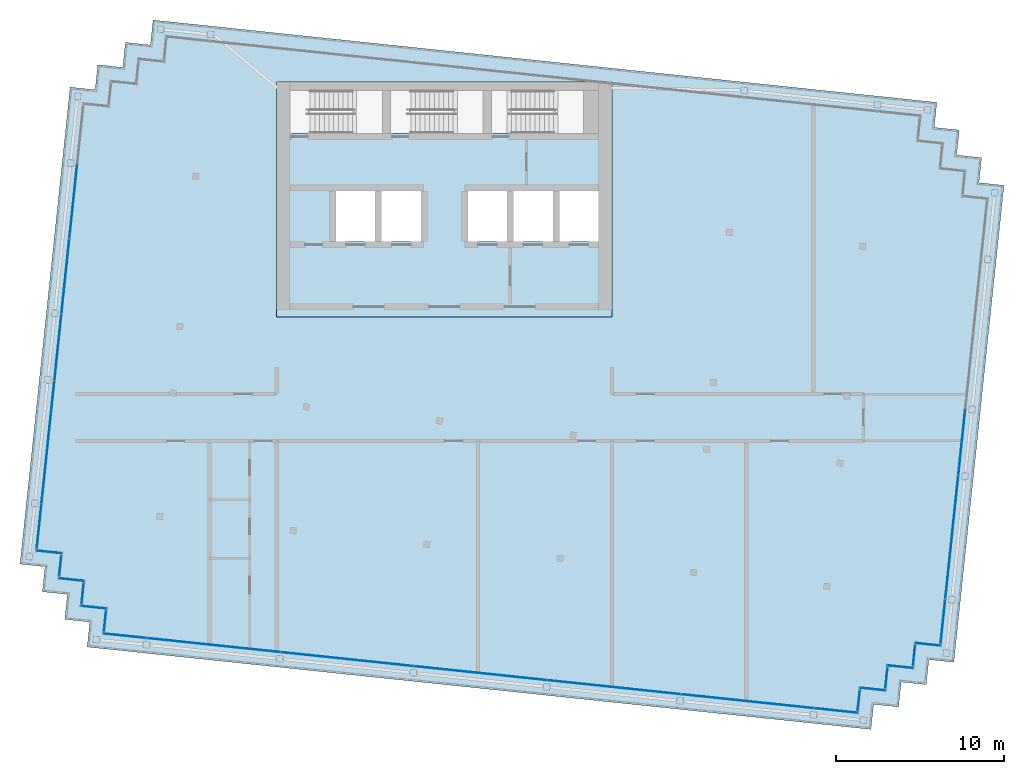
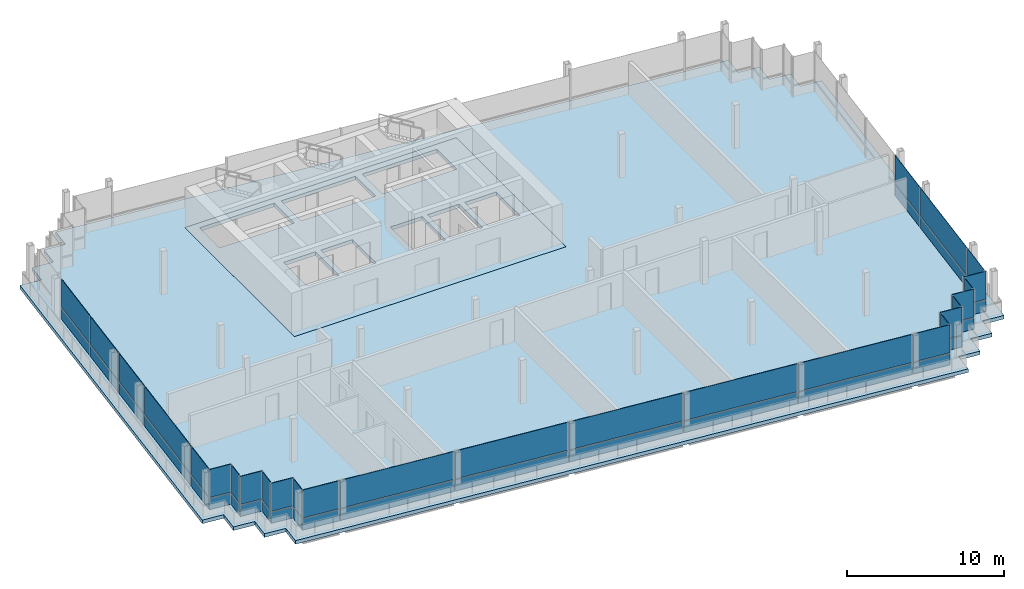
# One storey, part 9 of 15: 54 plates, 2 slabs, 15 elements without a shape of their own.
"""IFC4 building model written with IfcOpenShell, lengths in metres."""

from ifc_helpers import new_model, si_unit, direction, frame, origin, origin_2d, place, context, subcontext, project, spatial, polyline, rectangle, outline, extrude, material, layer, layer_set, type_object, element, aggregate, save


model = new_model("IFC4")

# Units and contexts
model_context = context("Model", 3, precision=1e-05, world=origin(), true_north=direction((0.0, 1.0)))
body_context = subcontext(model_context, "Body", "Model", "MODEL_VIEW")
ifc_project = project(units=[si_unit("LENGTHUNIT", "METRE"), si_unit("AREAUNIT", "SQUARE_METRE"), si_unit("VOLUMEUNIT", "CUBIC_METRE"), si_unit("PLANEANGLEUNIT", "RADIAN"), si_unit("MASSUNIT", "GRAM", prefix="KILO")], contexts=[model_context])

# Site, building, storey
site_placement = place(None, origin())
site = spatial("IfcSite", under=ifc_project, at=site_placement, CompositionType="ELEMENT")
building_placement = place(site_placement, origin())
building = spatial("IfcBuilding", under=site, at=building_placement, Name="Vidyagriha Tower", CompositionType="ELEMENT")
storey_placement = place(building_placement, frame((0.0, 0.0, 291.5)))
storey = spatial("IfcBuildingStorey", under=building, at=storey_placement, Name="L75", CompositionType="ELEMENT", Elevation=291.5)

# Curtain wall, plates
ifc_material_1 = material(Name="Aluminium and glass curtain wall", Category="aluminium")
curtain_wall_type = type_object("IfcCurtainWallType", Name="Lantern glazing wall", PredefinedType="USERDEFINED", material=ifc_material_1)
curtain_wall_1_placement = place(storey_placement, origin())
curtain_wall_1 = element("IfcCurtainWall", 1, at=curtain_wall_1_placement, inside=storey, type_object=curtain_wall_type, Name="CW4 lantern glazing", ObjectType="STICK GLAZING", PredefinedType="USERDEFINED")
ifc_material_2 = material(Name="Glass clear low-iron", Category="glass")
ifc_layer_1 = layer(ifc_material_2, 0.031982421875)
ifc_layer_set_1 = layer_set([ifc_layer_1], Name="Glass clear low-iron")
plate_type = type_object("IfcPlateType", Name="Clear lantern glass panel", PredefinedType="CURTAIN_PANEL", material=ifc_layer_set_1)
plate_1_placement = place(storey_placement, frame((-22.12744140625, 12.894287109375, 0.0), z_axis=(0.0, 0.0, 1.0), x_axis=(-0.104527289697, -0.994522018715, 0.0)))
plate_1 = element("IfcPlate", 2, at=plate_1_placement, type_object=plate_type, Name="CW4 panel 2.1", PredefinedType="CURTAIN_PANEL", context=body_context, shape_type="SweptSolid", body=[
    extrude(rectangle(XDim=4.440185546875, YDim=0.031982421875, at=origin_2d()), origin(), (0.0, 0.0, 1.0), 0.860107421875),
])
plate_2_placement = place(storey_placement, frame((-22.12744140625, 12.894287109375, 0.93994140625), z_axis=(0.0, 0.0, 1.0), x_axis=(-0.104527289697, -0.994522018715, 0.0)))
plate_2 = element("IfcPlate", 3, at=plate_2_placement, type_object=plate_type, Name="CW4 panel 2.2", PredefinedType="CURTAIN_PANEL", context=body_context, shape_type="SweptSolid", body=[
    extrude(rectangle(XDim=4.440185546875, YDim=0.031982421875, at=origin_2d()), origin(), (0.0, 0.0, 1.0), 2.179931640625),
])
plate_3_placement = place(storey_placement, frame((-22.597900390625, 8.4189453125, 0.0), z_axis=(0.0, 0.0, 1.0), x_axis=(-0.104527289697, -0.994522018715, 0.0)))
plate_3 = element("IfcPlate", 4, at=plate_3_placement, type_object=plate_type, Name="CW4 panel 3.1", PredefinedType="CURTAIN_PANEL", context=body_context, shape_type="SweptSolid", body=[
    extrude(rectangle(XDim=4.43994140625, YDim=0.031982421875, at=origin_2d()), origin(), (0.0, 0.0, 1.0), 0.860107421875),
])
plate_4_placement = place(storey_placement, frame((-22.597900390625, 8.4189453125, 0.93994140625), z_axis=(0.0, 0.0, 1.0), x_axis=(-0.104527289697, -0.994522018715, 0.0)))
plate_4 = element("IfcPlate", 5, at=plate_4_placement, type_object=plate_type, Name="CW4 panel 3.2", PredefinedType="CURTAIN_PANEL", context=body_context, shape_type="SweptSolid", body=[
    extrude(rectangle(XDim=4.43994140625, YDim=0.031982421875, at=origin_2d()), origin(), (0.0, 0.0, 1.0), 2.179931640625),
])
plate_5_placement = place(storey_placement, frame((-23.0419921875, 4.192138671875, 0.0), z_axis=(0.0, 0.0, 1.0), x_axis=(-0.104527289697, -0.994522018715, 0.0)))
plate_5 = element("IfcPlate", 6, at=plate_5_placement, type_object=plate_type, Name="CW4 panel 4.1", PredefinedType="CURTAIN_PANEL", context=body_context, shape_type="SweptSolid", body=[
    extrude(rectangle(XDim=3.93994140625, YDim=0.031982421875, at=origin_2d()), origin(), (0.0, 0.0, 1.0), 0.860107421875),
])
plate_6_placement = place(storey_placement, frame((-23.0419921875, 4.192138671875, 0.93994140625), z_axis=(0.0, 0.0, 1.0), x_axis=(-0.104527289697, -0.994522018715, 0.0)))
plate_6 = element("IfcPlate", 7, at=plate_6_placement, type_object=plate_type, Name="CW4 panel 4.2", PredefinedType="CURTAIN_PANEL", context=body_context, shape_type="SweptSolid", body=[
    extrude(rectangle(XDim=3.93994140625, YDim=0.031982421875, at=origin_2d()), origin(), (0.0, 0.0, 1.0), 2.179931640625),
])
plate_7_placement = place(storey_placement, frame((-23.637939453125, -1.4765625, 0.0), z_axis=(0.0, 0.0, 1.0), x_axis=(-0.104527289697, -0.994522018715, 0.0)))
plate_7 = element("IfcPlate", 8, at=plate_7_placement, type_object=plate_type, Name="CW4 panel 5.1", PredefinedType="CURTAIN_PANEL", context=body_context, shape_type="SweptSolid", body=[
    extrude(rectangle(XDim=7.340087890625, YDim=0.031982421875, at=origin_2d()), origin(), (0.0, 0.0, 1.0), 0.860107421875),
])
plate_8_placement = place(storey_placement, frame((-23.637939453125, -1.4765625, 0.93994140625), z_axis=(0.0, 0.0, 1.0), x_axis=(-0.104527289697, -0.994522018715, 0.0)))
plate_8 = element("IfcPlate", 9, at=plate_8_placement, type_object=plate_type, Name="CW4 panel 5.2", PredefinedType="CURTAIN_PANEL", context=body_context, shape_type="SweptSolid", body=[
    extrude(rectangle(XDim=7.340087890625, YDim=0.031982421875, at=origin_2d()), origin(), (0.0, 0.0, 1.0), 2.179931640625),
])
plate_9_placement = place(storey_placement, frame((-24.165283203125, -6.493896484375, 0.0), z_axis=(0.0, 0.0, 1.0), x_axis=(-0.104527289697, -0.994522018715, 0.0)))
plate_9 = element("IfcPlate", 10, at=plate_9_placement, type_object=plate_type, Name="CW4 panel 6.1", PredefinedType="CURTAIN_PANEL", context=body_context, shape_type="SweptSolid", body=[
    extrude(rectangle(XDim=2.6298828125, YDim=0.031982421875, at=origin_2d()), origin(), (0.0, 0.0, 1.0), 0.860107421875),
])
plate_10_placement = place(storey_placement, frame((-24.165283203125, -6.493896484375, 0.93994140625), z_axis=(0.0, 0.0, 1.0), x_axis=(-0.104527289697, -0.994522018715, 0.0)))
plate_10 = element("IfcPlate", 11, at=plate_10_placement, type_object=plate_type, Name="CW4 panel 6.2", PredefinedType="CURTAIN_PANEL", context=body_context, shape_type="SweptSolid", body=[
    extrude(rectangle(XDim=2.6298828125, YDim=0.031982421875, at=origin_2d()), origin(), (0.0, 0.0, 1.0), 2.179931640625),
])
aggregate(curtain_wall_1, [plate_1, plate_2, plate_3, plate_4, plate_5, plate_6, plate_7, plate_8, plate_9, plate_10])

curtain_wall_2_placement = place(storey_placement, origin())
curtain_wall_2 = element("IfcCurtainWall", 12, at=curtain_wall_2_placement, inside=storey, type_object=curtain_wall_type, Name="CW4 lantern glazing", ObjectType="STICK GLAZING", PredefinedType="USERDEFINED")
plate_11_placement = place(storey_placement, frame((-23.5712890625, -8.019287109375, 0.0), z_axis=(0.0, 0.0, 1.0), x_axis=(0.994522933756, -0.104518583201, 0.0)))
plate_11 = element("IfcPlate", 13, at=plate_11_placement, type_object=plate_type, Name="CW4 panel 1.1", PredefinedType="CURTAIN_PANEL", context=body_context, shape_type="SweptSolid", body=[
    extrude(rectangle(XDim=1.5400390625, YDim=0.031982421875, at=origin_2d()), origin(), (0.0, 0.0, 1.0), 0.860107421875),
])
plate_12_placement = place(storey_placement, frame((-23.5712890625, -8.019287109375, 0.93994140625), z_axis=(0.0, 0.0, 1.0), x_axis=(0.994522933756, -0.104518583201, 0.0)))
plate_12 = element("IfcPlate", 14, at=plate_12_placement, type_object=plate_type, Name="CW4 panel 1.2", PredefinedType="CURTAIN_PANEL", context=body_context, shape_type="SweptSolid", body=[
    extrude(rectangle(XDim=1.5400390625, YDim=0.031982421875, at=origin_2d()), origin(), (0.0, 0.0, 1.0), 2.179931640625),
])
aggregate(curtain_wall_2, [plate_11, plate_12])

curtain_wall_3_placement = place(storey_placement, origin())
curtain_wall_3 = element("IfcCurtainWall", 15, at=curtain_wall_3_placement, inside=storey, type_object=curtain_wall_type, Name="CW4 lantern glazing", ObjectType="STICK GLAZING", PredefinedType="USERDEFINED")
plate_13_placement = place(storey_placement, frame((-22.90380859375, -8.843505859375, 0.0), z_axis=(0.0, 0.0, 1.0), x_axis=(-0.104556583677, -0.994518939392, 0.0)))
plate_13 = element("IfcPlate", 16, at=plate_13_placement, type_object=plate_type, Name="CW4 panel 1.1", PredefinedType="CURTAIN_PANEL", context=body_context, shape_type="SweptSolid", body=[
    extrude(rectangle(XDim=1.219970703125, YDim=0.031982421875, at=origin_2d()), origin(), (0.0, 0.0, 1.0), 0.860107421875),
])
plate_14_placement = place(storey_placement, frame((-22.90380859375, -8.843505859375, 0.93994140625), z_axis=(0.0, 0.0, 1.0), x_axis=(-0.104556583677, -0.994518939392, 0.0)))
plate_14 = element("IfcPlate", 17, at=plate_14_placement, type_object=plate_type, Name="CW4 panel 1.2", PredefinedType="CURTAIN_PANEL", context=body_context, shape_type="SweptSolid", body=[
    extrude(rectangle(XDim=1.219970703125, YDim=0.031982421875, at=origin_2d()), origin(), (0.0, 0.0, 1.0), 2.179931640625),
])
aggregate(curtain_wall_3, [plate_13, plate_14])

curtain_wall_4_placement = place(storey_placement, origin())
curtain_wall_4 = element("IfcCurtainWall", 18, at=curtain_wall_4_placement, inside=storey, type_object=curtain_wall_type, Name="CW4 lantern glazing", ObjectType="STICK GLAZING", PredefinedType="USERDEFINED")
plate_15_placement = place(storey_placement, frame((-22.236572265625, -9.667724609375, 0.0), z_axis=(0.0, 0.0, 1.0), x_axis=(0.994529193856, -0.104458999463, 0.0)))
plate_15 = element("IfcPlate", 19, at=plate_15_placement, type_object=plate_type, Name="CW4 panel 1.1", PredefinedType="CURTAIN_PANEL", context=body_context, shape_type="SweptSolid", body=[
    extrude(rectangle(XDim=1.5400390625, YDim=0.031982421875, at=origin_2d()), origin(), (0.0, 0.0, 1.0), 0.860107421875),
])
plate_16_placement = place(storey_placement, frame((-22.236572265625, -9.667724609375, 0.93994140625), z_axis=(0.0, 0.0, 1.0), x_axis=(0.994529193856, -0.104458999463, 0.0)))
plate_16 = element("IfcPlate", 20, at=plate_16_placement, type_object=plate_type, Name="CW4 panel 1.2", PredefinedType="CURTAIN_PANEL", context=body_context, shape_type="SweptSolid", body=[
    extrude(rectangle(XDim=1.5400390625, YDim=0.031982421875, at=origin_2d()), origin(), (0.0, 0.0, 1.0), 2.179931640625),
])
aggregate(curtain_wall_4, [plate_15, plate_16])

curtain_wall_5_placement = place(storey_placement, origin())
curtain_wall_5 = element("IfcCurtainWall", 21, at=curtain_wall_5_placement, inside=storey, type_object=curtain_wall_type, Name="CW4 lantern glazing", ObjectType="STICK GLAZING", PredefinedType="USERDEFINED")
plate_17_placement = place(storey_placement, frame((-21.569091796875, -10.4921875, 0.0), z_axis=(0.0, 0.0, 1.0), x_axis=(-0.104548823962, -0.994519755162, 0.0)))
plate_17 = element("IfcPlate", 22, at=plate_17_placement, type_object=plate_type, Name="CW4 panel 1.1", PredefinedType="CURTAIN_PANEL", context=body_context, shape_type="SweptSolid", body=[
    extrude(rectangle(XDim=1.219970703125, YDim=0.031982421875, at=origin_2d()), origin(), (0.0, 0.0, 1.0), 0.860107421875),
])
plate_18_placement = place(storey_placement, frame((-21.569091796875, -10.4921875, 0.93994140625), z_axis=(0.0, 0.0, 1.0), x_axis=(-0.104548823962, -0.994519755162, 0.0)))
plate_18 = element("IfcPlate", 23, at=plate_18_placement, type_object=plate_type, Name="CW4 panel 1.2", PredefinedType="CURTAIN_PANEL", context=body_context, shape_type="SweptSolid", body=[
    extrude(rectangle(XDim=1.219970703125, YDim=0.031982421875, at=origin_2d()), origin(), (0.0, 0.0, 1.0), 2.179931640625),
])
aggregate(curtain_wall_5, [plate_17, plate_18])

curtain_wall_6_placement = place(storey_placement, origin())
curtain_wall_6 = element("IfcCurtainWall", 24, at=curtain_wall_6_placement, inside=storey, type_object=curtain_wall_type, Name="CW4 lantern glazing", ObjectType="STICK GLAZING", PredefinedType="USERDEFINED")
plate_19_placement = place(storey_placement, frame((-20.901611328125, -11.31640625, 0.0), z_axis=(0.0, 0.0, 1.0), x_axis=(0.994522933756, -0.104518583201, 0.0)))
plate_19 = element("IfcPlate", 25, at=plate_19_placement, type_object=plate_type, Name="CW4 panel 1.1", PredefinedType="CURTAIN_PANEL", context=body_context, shape_type="SweptSolid", body=[
    extrude(rectangle(XDim=1.5400390625, YDim=0.031982421875, at=origin_2d()), origin(), (0.0, 0.0, 1.0), 0.860107421875),
])
plate_20_placement = place(storey_placement, frame((-20.901611328125, -11.31640625, 0.93994140625), z_axis=(0.0, 0.0, 1.0), x_axis=(0.994522933756, -0.104518583201, 0.0)))
plate_20 = element("IfcPlate", 26, at=plate_20_placement, type_object=plate_type, Name="CW4 panel 1.2", PredefinedType="CURTAIN_PANEL", context=body_context, shape_type="SweptSolid", body=[
    extrude(rectangle(XDim=1.5400390625, YDim=0.031982421875, at=origin_2d()), origin(), (0.0, 0.0, 1.0), 2.179931640625),
])
aggregate(curtain_wall_6, [plate_19, plate_20])

curtain_wall_7_placement = place(storey_placement, origin())
curtain_wall_7 = element("IfcCurtainWall", 27, at=curtain_wall_7_placement, inside=storey, type_object=curtain_wall_type, Name="CW4 lantern glazing", ObjectType="STICK GLAZING", PredefinedType="USERDEFINED")
plate_21_placement = place(storey_placement, frame((-20.23388671875, -12.140625, 0.0), z_axis=(0.0, 0.0, 1.0), x_axis=(-0.104556583677, -0.994518939392, 0.0)))
plate_21 = element("IfcPlate", 28, at=plate_21_placement, type_object=plate_type, Name="CW4 panel 1.1", PredefinedType="CURTAIN_PANEL", context=body_context, shape_type="SweptSolid", body=[
    extrude(rectangle(XDim=1.219970703125, YDim=0.031982421875, at=origin_2d()), origin(), (0.0, 0.0, 1.0), 0.860107421875),
])
plate_22_placement = place(storey_placement, frame((-20.23388671875, -12.140625, 0.93994140625), z_axis=(0.0, 0.0, 1.0), x_axis=(-0.104556583677, -0.994518939392, 0.0)))
plate_22 = element("IfcPlate", 29, at=plate_22_placement, type_object=plate_type, Name="CW4 panel 1.2", PredefinedType="CURTAIN_PANEL", context=body_context, shape_type="SweptSolid", body=[
    extrude(rectangle(XDim=1.219970703125, YDim=0.031982421875, at=origin_2d()), origin(), (0.0, 0.0, 1.0), 2.179931640625),
])
aggregate(curtain_wall_7, [plate_21, plate_22])

curtain_wall_8_placement = place(storey_placement, origin())
curtain_wall_8 = element("IfcCurtainWall", 30, at=curtain_wall_8_placement, inside=storey, type_object=curtain_wall_type, Name="CW4 lantern glazing", ObjectType="STICK GLAZING", PredefinedType="USERDEFINED")
plate_23_placement = place(storey_placement, frame((-19.044189453125, -13.019775390625, 0.0), z_axis=(0.0, 0.0, 1.0), x_axis=(0.99452191762, -0.104528251556, 0.0)))
plate_23 = element("IfcPlate", 31, at=plate_23_placement, type_object=plate_type, Name="CW4 panel 1.1", PredefinedType="CURTAIN_PANEL", context=body_context, shape_type="SweptSolid", body=[
    extrude(rectangle(XDim=2.590087890625, YDim=0.031982421875, at=origin_2d()), origin(), (0.0, 0.0, 1.0), 0.860107421875),
])
plate_24_placement = place(storey_placement, frame((-19.044189453125, -13.019775390625, 0.93994140625), z_axis=(0.0, 0.0, 1.0), x_axis=(0.99452191762, -0.104528251556, 0.0)))
plate_24 = element("IfcPlate", 32, at=plate_24_placement, type_object=plate_type, Name="CW4 panel 1.2", PredefinedType="CURTAIN_PANEL", context=body_context, shape_type="SweptSolid", body=[
    extrude(rectangle(XDim=2.590087890625, YDim=0.031982421875, at=origin_2d()), origin(), (0.0, 0.0, 1.0), 2.179931640625),
])
plate_25_placement = place(storey_placement, frame((-13.74853515625, -13.576416015625, 0.0), z_axis=(0.0, 0.0, 1.0), x_axis=(0.99452191762, -0.104528251556, 0.0)))
plate_25 = element("IfcPlate", 33, at=plate_25_placement, type_object=plate_type, Name="CW4 panel 2.1", PredefinedType="CURTAIN_PANEL", context=body_context, shape_type="SweptSolid", body=[
    extrude(rectangle(XDim=7.93994140625, YDim=0.031982421875, at=origin_2d()), origin(), (0.0, 0.0, 1.0), 0.860107421875),
])
plate_26_placement = place(storey_placement, frame((-13.74853515625, -13.576416015625, 0.93994140625), z_axis=(0.0, 0.0, 1.0), x_axis=(0.99452191762, -0.104528251556, 0.0)))
plate_26 = element("IfcPlate", 34, at=plate_26_placement, type_object=plate_type, Name="CW4 panel 2.2", PredefinedType="CURTAIN_PANEL", context=body_context, shape_type="SweptSolid", body=[
    extrude(rectangle(XDim=7.93994140625, YDim=0.031982421875, at=origin_2d()), origin(), (0.0, 0.0, 1.0), 2.179931640625),
])
plate_27_placement = place(storey_placement, frame((-5.792236328125, -14.41259765625, 0.0), z_axis=(0.0, 0.0, 1.0), x_axis=(0.99452191762, -0.104528251556, 0.0)))
plate_27 = element("IfcPlate", 35, at=plate_27_placement, type_object=plate_type, Name="CW4 panel 3.1", PredefinedType="CURTAIN_PANEL", context=body_context, shape_type="SweptSolid", body=[
    extrude(rectangle(XDim=7.93994140625, YDim=0.031982421875, at=origin_2d()), origin(), (0.0, 0.0, 1.0), 0.860107421875),
])
plate_28_placement = place(storey_placement, frame((-5.792236328125, -14.41259765625, 0.93994140625), z_axis=(0.0, 0.0, 1.0), x_axis=(0.99452191762, -0.104528251556, 0.0)))
plate_28 = element("IfcPlate", 36, at=plate_28_placement, type_object=plate_type, Name="CW4 panel 3.2", PredefinedType="CURTAIN_PANEL", context=body_context, shape_type="SweptSolid", body=[
    extrude(rectangle(XDim=7.93994140625, YDim=0.031982421875, at=origin_2d()), origin(), (0.0, 0.0, 1.0), 2.179931640625),
])
plate_29_placement = place(storey_placement, frame((2.163818359375, -15.248779296875, 0.0), z_axis=(0.0, 0.0, 1.0), x_axis=(0.99452191762, -0.104528251556, 0.0)))
plate_29 = element("IfcPlate", 37, at=plate_29_placement, type_object=plate_type, Name="CW4 panel 4.1", PredefinedType="CURTAIN_PANEL", context=body_context, shape_type="SweptSolid", body=[
    extrude(rectangle(XDim=7.93994140625, YDim=0.031982421875, at=origin_2d()), origin(), (0.0, 0.0, 1.0), 0.860107421875),
])
plate_30_placement = place(storey_placement, frame((2.163818359375, -15.248779296875, 0.93994140625), z_axis=(0.0, 0.0, 1.0), x_axis=(0.99452191762, -0.104528251556, 0.0)))
plate_30 = element("IfcPlate", 38, at=plate_30_placement, type_object=plate_type, Name="CW4 panel 4.2", PredefinedType="CURTAIN_PANEL", context=body_context, shape_type="SweptSolid", body=[
    extrude(rectangle(XDim=7.93994140625, YDim=0.031982421875, at=origin_2d()), origin(), (0.0, 0.0, 1.0), 2.179931640625),
])
plate_31_placement = place(storey_placement, frame((10.1201171875, -16.085205078125, 0.0), z_axis=(0.0, 0.0, 1.0), x_axis=(0.99452191762, -0.104528251556, 0.0)))
plate_31 = element("IfcPlate", 39, at=plate_31_placement, type_object=plate_type, Name="CW4 panel 5.1", PredefinedType="CURTAIN_PANEL", context=body_context, shape_type="SweptSolid", body=[
    extrude(rectangle(XDim=7.93994140625, YDim=0.031982421875, at=origin_2d()), origin(), (0.0, 0.0, 1.0), 0.860107421875),
])
plate_32_placement = place(storey_placement, frame((10.1201171875, -16.085205078125, 0.93994140625), z_axis=(0.0, 0.0, 1.0), x_axis=(0.99452191762, -0.104528251556, 0.0)))
plate_32 = element("IfcPlate", 40, at=plate_32_placement, type_object=plate_type, Name="CW4 panel 5.2", PredefinedType="CURTAIN_PANEL", context=body_context, shape_type="SweptSolid", body=[
    extrude(rectangle(XDim=7.93994140625, YDim=0.031982421875, at=origin_2d()), origin(), (0.0, 0.0, 1.0), 2.179931640625),
])
plate_33_placement = place(storey_placement, frame((18.076171875, -16.92138671875, 0.0), z_axis=(0.0, 0.0, 1.0), x_axis=(0.99452191762, -0.104528251556, 0.0)))
plate_33 = element("IfcPlate", 41, at=plate_33_placement, type_object=plate_type, Name="CW4 panel 6.1", PredefinedType="CURTAIN_PANEL", context=body_context, shape_type="SweptSolid", body=[
    extrude(rectangle(XDim=7.93994140625, YDim=0.031982421875, at=origin_2d()), origin(), (0.0, 0.0, 1.0), 0.860107421875),
])
plate_34_placement = place(storey_placement, frame((18.076171875, -16.92138671875, 0.93994140625), z_axis=(0.0, 0.0, 1.0), x_axis=(0.99452191762, -0.104528251556, 0.0)))
plate_34 = element("IfcPlate", 42, at=plate_34_placement, type_object=plate_type, Name="CW4 panel 6.2", PredefinedType="CURTAIN_PANEL", context=body_context, shape_type="SweptSolid", body=[
    extrude(rectangle(XDim=7.93994140625, YDim=0.031982421875, at=origin_2d()), origin(), (0.0, 0.0, 1.0), 2.179931640625),
])
plate_35_placement = place(storey_placement, frame((23.3720703125, -17.47802734375, 0.0), z_axis=(0.0, 0.0, 1.0), x_axis=(0.99452191762, -0.104528251556, 0.0)))
plate_35 = element("IfcPlate", 43, at=plate_35_placement, type_object=plate_type, Name="CW4 panel 7.1", PredefinedType="CURTAIN_PANEL", context=body_context, shape_type="SweptSolid", body=[
    extrude(rectangle(XDim=2.590087890625, YDim=0.031982421875, at=origin_2d()), origin(), (0.0, 0.0, 1.0), 0.860107421875),
])
plate_36_placement = place(storey_placement, frame((23.3720703125, -17.47802734375, 0.93994140625), z_axis=(0.0, 0.0, 1.0), x_axis=(0.99452191762, -0.104528251556, 0.0)))
plate_36 = element("IfcPlate", 44, at=plate_36_placement, type_object=plate_type, Name="CW4 panel 7.2", PredefinedType="CURTAIN_PANEL", context=body_context, shape_type="SweptSolid", body=[
    extrude(rectangle(XDim=2.590087890625, YDim=0.031982421875, at=origin_2d()), origin(), (0.0, 0.0, 1.0), 2.179931640625),
])
aggregate(curtain_wall_8, [plate_23, plate_24, plate_25, plate_26, plate_27, plate_28, plate_29, plate_30, plate_31, plate_32, plate_33, plate_34, plate_35, plate_36])

curtain_wall_9_placement = place(storey_placement, origin())
curtain_wall_9 = element("IfcCurtainWall", 45, at=curtain_wall_9_placement, inside=storey, type_object=curtain_wall_type, Name="CW4 lantern glazing", ObjectType="STICK GLAZING", PredefinedType="USERDEFINED")
plate_37_placement = place(storey_placement, frame((24.718505859375, -16.865478515625, 0.0), z_axis=(0.0, 0.0, 1.0), x_axis=(0.104556583677, 0.994518939392, 0.0)))
plate_37 = element("IfcPlate", 46, at=plate_37_placement, type_object=plate_type, Name="CW4 panel 1.1", PredefinedType="CURTAIN_PANEL", context=body_context, shape_type="SweptSolid", body=[
    extrude(rectangle(XDim=1.219970703125, YDim=0.031982421875, at=origin_2d()), origin(), (0.0, 0.0, 1.0), 0.860107421875),
])
plate_38_placement = place(storey_placement, frame((24.718505859375, -16.865478515625, 0.93994140625), z_axis=(0.0, 0.0, 1.0), x_axis=(0.104556583677, 0.994518939392, 0.0)))
plate_38 = element("IfcPlate", 47, at=plate_38_placement, type_object=plate_type, Name="CW4 panel 1.2", PredefinedType="CURTAIN_PANEL", context=body_context, shape_type="SweptSolid", body=[
    extrude(rectangle(XDim=1.219970703125, YDim=0.031982421875, at=origin_2d()), origin(), (0.0, 0.0, 1.0), 2.179931640625),
])
aggregate(curtain_wall_9, [plate_37, plate_38])

curtain_wall_10_placement = place(storey_placement, origin())
curtain_wall_10 = element("IfcCurtainWall", 48, at=curtain_wall_10_placement, inside=storey, type_object=curtain_wall_type, Name="CW4 lantern glazing", ObjectType="STICK GLAZING", PredefinedType="USERDEFINED")
plate_39_placement = place(storey_placement, frame((25.542724609375, -16.197998046875, 0.0), z_axis=(0.0, 0.0, 1.0), x_axis=(0.994522933756, -0.104518583201, 0.0)))
plate_39 = element("IfcPlate", 49, at=plate_39_placement, type_object=plate_type, Name="CW4 panel 1.1", PredefinedType="CURTAIN_PANEL", context=body_context, shape_type="SweptSolid", body=[
    extrude(rectangle(XDim=1.5400390625, YDim=0.031982421875, at=origin_2d()), origin(), (0.0, 0.0, 1.0), 0.860107421875),
])
plate_40_placement = place(storey_placement, frame((25.542724609375, -16.197998046875, 0.93994140625), z_axis=(0.0, 0.0, 1.0), x_axis=(0.994522933756, -0.104518583201, 0.0)))
plate_40 = element("IfcPlate", 50, at=plate_40_placement, type_object=plate_type, Name="CW4 panel 1.2", PredefinedType="CURTAIN_PANEL", context=body_context, shape_type="SweptSolid", body=[
    extrude(rectangle(XDim=1.5400390625, YDim=0.031982421875, at=origin_2d()), origin(), (0.0, 0.0, 1.0), 2.179931640625),
])
aggregate(curtain_wall_10, [plate_39, plate_40])

curtain_wall_11_placement = place(storey_placement, origin())
curtain_wall_11 = element("IfcCurtainWall", 51, at=curtain_wall_11_placement, inside=storey, type_object=curtain_wall_type, Name="CW4 lantern glazing", ObjectType="STICK GLAZING", PredefinedType="USERDEFINED")
plate_41_placement = place(storey_placement, frame((26.366943359375, -15.530517578125, 0.0), z_axis=(0.0, 0.0, 1.0), x_axis=(0.104548823962, 0.994519755162, 0.0)))
plate_41 = element("IfcPlate", 52, at=plate_41_placement, type_object=plate_type, Name="CW4 panel 1.1", PredefinedType="CURTAIN_PANEL", context=body_context, shape_type="SweptSolid", body=[
    extrude(rectangle(XDim=1.219970703125, YDim=0.031982421875, at=origin_2d()), origin(), (0.0, 0.0, 1.0), 0.860107421875),
])
plate_42_placement = place(storey_placement, frame((26.366943359375, -15.530517578125, 0.93994140625), z_axis=(0.0, 0.0, 1.0), x_axis=(0.104548823962, 0.994519755162, 0.0)))
plate_42 = element("IfcPlate", 53, at=plate_42_placement, type_object=plate_type, Name="CW4 panel 1.2", PredefinedType="CURTAIN_PANEL", context=body_context, shape_type="SweptSolid", body=[
    extrude(rectangle(XDim=1.219970703125, YDim=0.031982421875, at=origin_2d()), origin(), (0.0, 0.0, 1.0), 2.179931640625),
])
aggregate(curtain_wall_11, [plate_41, plate_42])

curtain_wall_12_placement = place(storey_placement, origin())
curtain_wall_12 = element("IfcCurtainWall", 54, at=curtain_wall_12_placement, inside=storey, type_object=curtain_wall_type, Name="CW4 lantern glazing", ObjectType="STICK GLAZING", PredefinedType="USERDEFINED")
plate_43_placement = place(storey_placement, frame((27.19140625, -14.86279296875, 0.0), z_axis=(0.0, 0.0, 1.0), x_axis=(0.994522933756, -0.104518583201, 0.0)))
plate_43 = element("IfcPlate", 55, at=plate_43_placement, type_object=plate_type, Name="CW4 panel 1.1", PredefinedType="CURTAIN_PANEL", context=body_context, shape_type="SweptSolid", body=[
    extrude(rectangle(XDim=1.5400390625, YDim=0.031982421875, at=origin_2d()), origin(), (0.0, 0.0, 1.0), 0.860107421875),
])
plate_44_placement = place(storey_placement, frame((27.19140625, -14.86279296875, 0.93994140625), z_axis=(0.0, 0.0, 1.0), x_axis=(0.994522933756, -0.104518583201, 0.0)))
plate_44 = element("IfcPlate", 56, at=plate_44_placement, type_object=plate_type, Name="CW4 panel 1.2", PredefinedType="CURTAIN_PANEL", context=body_context, shape_type="SweptSolid", body=[
    extrude(rectangle(XDim=1.5400390625, YDim=0.031982421875, at=origin_2d()), origin(), (0.0, 0.0, 1.0), 2.179931640625),
])
aggregate(curtain_wall_12, [plate_43, plate_44])

curtain_wall_13_placement = place(storey_placement, origin())
curtain_wall_13 = element("IfcCurtainWall", 57, at=curtain_wall_13_placement, inside=storey, type_object=curtain_wall_type, Name="CW4 lantern glazing", ObjectType="STICK GLAZING", PredefinedType="USERDEFINED")
plate_45_placement = place(storey_placement, frame((28.015625, -14.1953125, 0.0), z_axis=(0.0, 0.0, 1.0), x_axis=(0.104548823962, 0.994519755162, 0.0)))
plate_45 = element("IfcPlate", 58, at=plate_45_placement, type_object=plate_type, Name="CW4 panel 1.1", PredefinedType="CURTAIN_PANEL", context=body_context, shape_type="SweptSolid", body=[
    extrude(rectangle(XDim=1.219970703125, YDim=0.031982421875, at=origin_2d()), origin(), (0.0, 0.0, 1.0), 0.860107421875),
])
plate_46_placement = place(storey_placement, frame((28.015625, -14.1953125, 0.93994140625), z_axis=(0.0, 0.0, 1.0), x_axis=(0.104548823962, 0.994519755162, 0.0)))
plate_46 = element("IfcPlate", 59, at=plate_46_placement, type_object=plate_type, Name="CW4 panel 1.2", PredefinedType="CURTAIN_PANEL", context=body_context, shape_type="SweptSolid", body=[
    extrude(rectangle(XDim=1.219970703125, YDim=0.031982421875, at=origin_2d()), origin(), (0.0, 0.0, 1.0), 2.179931640625),
])
aggregate(curtain_wall_13, [plate_45, plate_46])

curtain_wall_14_placement = place(storey_placement, origin())
curtain_wall_14 = element("IfcCurtainWall", 60, at=curtain_wall_14_placement, inside=storey, type_object=curtain_wall_type, Name="CW4 lantern glazing", ObjectType="STICK GLAZING", PredefinedType="USERDEFINED")
plate_47_placement = place(storey_placement, frame((28.83984375, -13.528076171875, 0.0), z_axis=(0.0, 0.0, 1.0), x_axis=(0.994523591781, -0.104512321721, 0.0)))
plate_47 = element("IfcPlate", 61, at=plate_47_placement, type_object=plate_type, Name="CW4 panel 1.1", PredefinedType="CURTAIN_PANEL", context=body_context, shape_type="SweptSolid", body=[
    extrude(rectangle(XDim=1.5400390625, YDim=0.031982421875, at=origin_2d()), origin(), (0.0, 0.0, 1.0), 0.860107421875),
])
plate_48_placement = place(storey_placement, frame((28.83984375, -13.528076171875, 0.93994140625), z_axis=(0.0, 0.0, 1.0), x_axis=(0.994523591781, -0.104512321721, 0.0)))
plate_48 = element("IfcPlate", 62, at=plate_48_placement, type_object=plate_type, Name="CW4 panel 1.2", PredefinedType="CURTAIN_PANEL", context=body_context, shape_type="SweptSolid", body=[
    extrude(rectangle(XDim=1.5400390625, YDim=0.031982421875, at=origin_2d()), origin(), (0.0, 0.0, 1.0), 2.179931640625),
])
aggregate(curtain_wall_14, [plate_47, plate_48])

curtain_wall_15_placement = place(storey_placement, origin())
curtain_wall_15 = element("IfcCurtainWall", 63, at=curtain_wall_15_placement, inside=storey, type_object=curtain_wall_type, Name="CW4 lantern glazing", ObjectType="STICK GLAZING", PredefinedType="USERDEFINED")
plate_49_placement = place(storey_placement, frame((29.73779296875, -12.1591796875, 0.0), z_axis=(0.0, 0.0, 1.0), x_axis=(0.104526899479, 0.994522059728, 0.0)))
plate_49 = element("IfcPlate", 64, at=plate_49_placement, type_object=plate_type, Name="CW4 panel 1.1", PredefinedType="CURTAIN_PANEL", context=body_context, shape_type="SweptSolid", body=[
    extrude(rectangle(XDim=2.6298828125, YDim=0.031982421875, at=origin_2d()), origin(), (0.0, 0.0, 1.0), 0.860107421875),
])
plate_50_placement = place(storey_placement, frame((29.73779296875, -12.1591796875, 0.93994140625), z_axis=(0.0, 0.0, 1.0), x_axis=(0.104526899479, 0.994522059728, 0.0)))
plate_50 = element("IfcPlate", 65, at=plate_50_placement, type_object=plate_type, Name="CW4 panel 1.2", PredefinedType="CURTAIN_PANEL", context=body_context, shape_type="SweptSolid", body=[
    extrude(rectangle(XDim=2.6298828125, YDim=0.031982421875, at=origin_2d()), origin(), (0.0, 0.0, 1.0), 2.179931640625),
])
plate_51_placement = place(storey_placement, frame((30.26513671875, -7.14208984375, 0.0), z_axis=(0.0, 0.0, 1.0), x_axis=(0.104526899479, 0.994522059728, 0.0)))
plate_51 = element("IfcPlate", 66, at=plate_51_placement, type_object=plate_type, Name="CW4 panel 2.1", PredefinedType="CURTAIN_PANEL", context=body_context, shape_type="SweptSolid", body=[
    extrude(rectangle(XDim=7.340087890625, YDim=0.031982421875, at=origin_2d()), origin(), (0.0, 0.0, 1.0), 0.860107421875),
])
plate_52_placement = place(storey_placement, frame((30.26513671875, -7.14208984375, 0.93994140625), z_axis=(0.0, 0.0, 1.0), x_axis=(0.104526899479, 0.994522059728, 0.0)))
plate_52 = element("IfcPlate", 67, at=plate_52_placement, type_object=plate_type, Name="CW4 panel 2.2", PredefinedType="CURTAIN_PANEL", context=body_context, shape_type="SweptSolid", body=[
    extrude(rectangle(XDim=7.340087890625, YDim=0.031982421875, at=origin_2d()), origin(), (0.0, 0.0, 1.0), 2.179931640625),
])
plate_53_placement = place(storey_placement, frame((30.861083984375, -1.47314453125, 0.0), z_axis=(0.0, 0.0, 1.0), x_axis=(0.104526899479, 0.994522059728, 0.0)))
plate_53 = element("IfcPlate", 68, at=plate_53_placement, type_object=plate_type, Name="CW4 panel 3.1", PredefinedType="CURTAIN_PANEL", context=body_context, shape_type="SweptSolid", body=[
    extrude(rectangle(XDim=3.93994140625, YDim=0.031982421875, at=origin_2d()), origin(), (0.0, 0.0, 1.0), 0.860107421875),
])
plate_54_placement = place(storey_placement, frame((30.861083984375, -1.47314453125, 0.93994140625), z_axis=(0.0, 0.0, 1.0), x_axis=(0.104526899479, 0.994522059728, 0.0)))
plate_54 = element("IfcPlate", 69, at=plate_54_placement, type_object=plate_type, Name="CW4 panel 3.2", PredefinedType="CURTAIN_PANEL", context=body_context, shape_type="SweptSolid", body=[
    extrude(rectangle(XDim=3.93994140625, YDim=0.031982421875, at=origin_2d()), origin(), (0.0, 0.0, 1.0), 2.179931640625),
])
aggregate(curtain_wall_15, [plate_49, plate_50, plate_51, plate_52, plate_53, plate_54])

# Slabs
ifc_material_3 = material(Name="Concrete C60/75", Category="concrete")
ifc_layer_2 = layer(ifc_material_3, 0.280029296875)
ifc_layer_set_2 = layer_set([ifc_layer_2], Name="Concrete C60/75")
slab_type_1 = type_object("IfcSlabType", Name="Core floor slab 280 mm", PredefinedType="FLOOR", material=ifc_layer_set_2)
slab_1_placement = place(storey_placement, frame((0.0, 0.0, -0.280029296875)))
element("IfcSlab", 70, at=slab_1_placement, inside=storey, type_object=slab_type_1, Name="L75 core floor 1", PredefinedType="FLOOR", context=body_context, shape_type="SweptSolid", body=[
    extrude(outline(polyline([(-10.0, 6.0), (-10.0, 20.0), (10.0, 20.0), (10.0, 6.0), (-10.0, 6.0)]), holes=[polyline([(6.86669921875, 13.5), (6.86669921875, 10.5), (9.199951171875, 10.5), (9.199951171875, 13.5), (6.86669921875, 13.5)]), polyline([(4.0, 19.5), (2.800048828125, 19.5), (2.800048828125, 16.949951171875), (4.0, 16.949951171875), (8.300048828125, 16.949951171875), (8.300048828125, 19.5), (4.0, 19.5)]), polyline([(6.466796875, 13.5), (4.13330078125, 13.5), (4.13330078125, 10.5), (6.466796875, 10.5), (6.466796875, 13.5)]), polyline([(3.7333984375, 13.5), (1.39990234375, 13.5), (1.39990234375, 10.5), (3.7333984375, 10.5), (3.7333984375, 13.5)]), polyline([(-2.0, 16.949951171875), (2.300048828125, 16.949951171875), (2.300048828125, 19.5), (-2.0, 19.5), (-3.199951171875, 19.5), (-3.199951171875, 16.949951171875), (-2.0, 16.949951171875)]), polyline([(-3.7333984375, 13.5), (-3.7333984375, 10.5), (-1.39990234375, 10.5), (-1.39990234375, 13.5), (-3.7333984375, 13.5)]), polyline([(-9.199951171875, 19.5), (-9.199951171875, 16.949951171875), (-8.0, 16.949951171875), (-3.699951171875, 16.949951171875), (-3.699951171875, 19.5), (-8.0, 19.5), (-9.199951171875, 19.5)]), polyline([(-6.466796875, 13.5), (-6.466796875, 10.5), (-4.13330078125, 10.5), (-4.13330078125, 13.5), (-6.466796875, 13.5)])]), origin(), (0.0, 0.0, 1.0), 0.280029296875),
])
ifc_material_4 = material(Name="Concrete C50/60", Category="concrete")
ifc_layer_3 = layer(ifc_material_4, 0.280029296875)
ifc_layer_set_3 = layer_set([ifc_layer_3], Name="Concrete C50/60")
slab_type_2 = type_object("IfcSlabType", Name="Post-tensioned flat plate 280", PredefinedType="FLOOR", material=ifc_layer_set_3)
slab_2_placement = place(storey_placement, frame((0.0, 0.0, -0.280029296875)))
element("IfcSlab", 71, at=slab_2_placement, inside=storey, type_object=slab_type_2, Name="st-slab-L75-1", PredefinedType="FLOOR", context=body_context, shape_type="SweptSolid", body=[
    extrude(outline(polyline([(28.89501953125, -14.438720703125), (28.738037109375, -15.930419921875), (27.246337890625, -15.773681640625), (27.089599609375, -17.265380859375), (25.597900390625, -17.108642578125), (25.44091796875, -18.600341796875), (-21.301513671875, -13.6875), (-21.144775390625, -12.19580078125), (-22.636474609375, -12.0390625), (-22.479736328125, -10.547119140625), (-23.971435546875, -10.390380859375), (-23.814697265625, -8.898681640625), (-25.306396484375, -8.741943359375), (-22.31689453125, 19.701416015625), (-20.8251953125, 19.544677734375), (-20.66845703125, 21.036376953125), (-19.176513671875, 20.879638671875), (-19.019775390625, 22.371337890625), (-17.528076171875, 22.214599609375), (-17.371337890625, 23.706298828125), (29.371337890625, 18.793701171875), (29.214599609375, 17.3017578125), (30.706298828125, 17.14501953125), (30.549560546875, 15.6533203125), (32.041259765625, 15.496337890625), (31.884521484375, 14.004638671875), (33.376220703125, 13.847900390625), (30.38671875, -14.595458984375), (28.89501953125, -14.438720703125)]), holes=[polyline([(10.0, 20.0), (-10.0, 20.0), (-10.0, 6.0), (10.0, 6.0), (10.0, 20.0)])]), origin(), (0.0, 0.0, 1.0), 0.280029296875),
])

save(model, "model.ifc")
